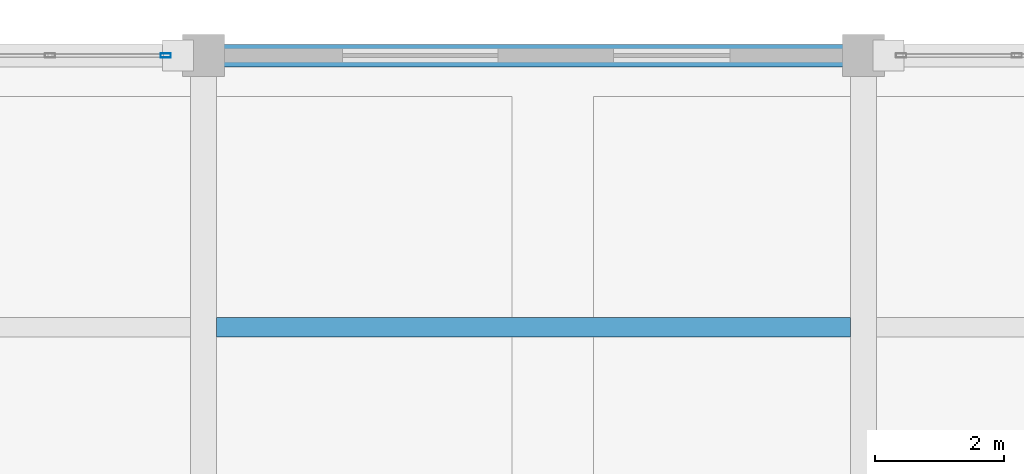
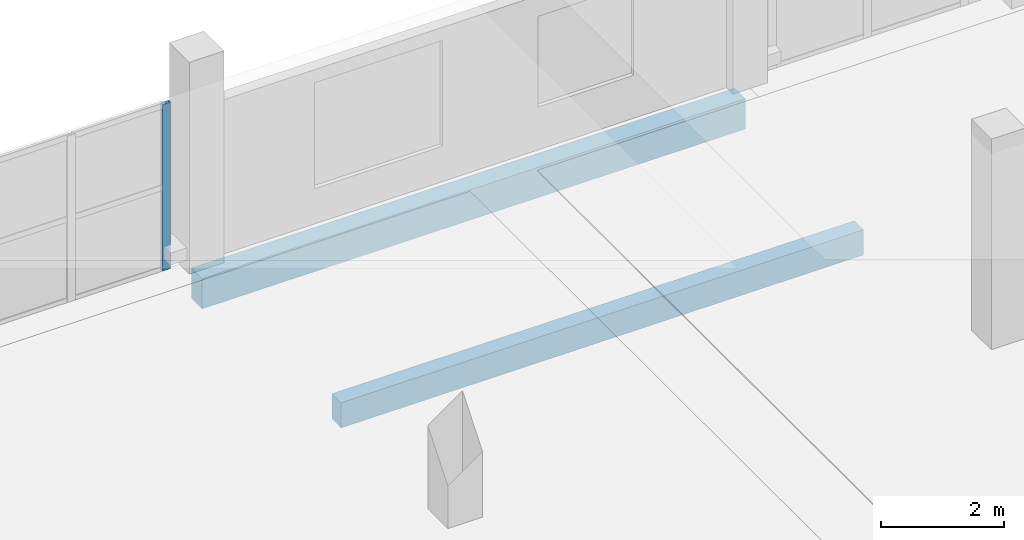
# One storey, part 99 of 135: 2 beams, 1 member, 1 element without a shape of its own.
"""IFC4 building model written with IfcOpenShell, lengths in metres."""

from ifc_helpers import new_model, si_unit, direction, frame, origin, origin_2d, place, context, subcontext, project, spatial, rectangle, hollow_rectangle, extrude, material, material_profile, profile_set, type_object, element, aggregate, save


model = new_model("IFC4")

# Units and contexts
model_context = context("Model", 3, precision=1e-05, world=origin(), true_north=direction((0.0, 1.0)))
body_context = subcontext(model_context, "Body", "Model", "MODEL_VIEW")
ifc_project = project(units=[si_unit("LENGTHUNIT", "METRE"), si_unit("AREAUNIT", "SQUARE_METRE"), si_unit("VOLUMEUNIT", "CUBIC_METRE"), si_unit("PLANEANGLEUNIT", "RADIAN"), si_unit("MASSUNIT", "GRAM", prefix="KILO")], contexts=[model_context])

# Site, building, storey
site_placement = place(None, origin())
site = spatial("IfcSite", under=ifc_project, at=site_placement, CompositionType="ELEMENT")
building_placement = place(site_placement, origin())
building = spatial("IfcBuilding", under=site, at=building_placement, Name="Brelvane Convention Centre", CompositionType="ELEMENT")
storey_placement = place(building_placement, frame((0.0, 0.0, 15.0)))
storey = spatial("IfcBuildingStorey", under=building, at=storey_placement, Name="L03", CompositionType="ELEMENT", Elevation=15.0)

# Curtain wall, member
ifc_material_1 = material(Name="Anodised Aluminium Alloy 6063-T6", Category="aluminium")
curtain_wall_type = type_object("IfcCurtainWallType", Name="Curtain Wall CW-BOUL", PredefinedType="USERDEFINED", material=ifc_material_1)
curtain_wall_placement = place(storey_placement, origin())
curtain_wall = element("IfcCurtainWall", 1, at=curtain_wall_placement, inside=storey, type_object=curtain_wall_type, Name="Curtain Wall CW-BOUL L03-V4N-04", ObjectType="UNITISED", PredefinedType="USERDEFINED")
ifc_material_2 = material(Name="Anodised Aluminium Alloy 6063-T6", Category="aluminium")
ifc_material_profile_1 = material_profile(ifc_material_2, hollow_rectangle(XDim=0.06494140625, YDim=0.159912109375, WallThickness=0.00390625, InnerFilletRadius=0.00390625, OuterFilletRadius=0.008056640625, at=origin_2d()), Name="ALU-M 160x65x4.0")
ifc_profile_set_1 = profile_set([ifc_material_profile_1], Name="Anodised Aluminium Alloy 6063-T6")
member_type = type_object("IfcMemberType", Name="Curtain Mullion CW-M3", PredefinedType="MULLION", material=ifc_profile_set_1)
member_placement = place(storey_placement, frame((40.217529296875, 144.0, 0.0), z_axis=(0.0, 0.0, 1.0), x_axis=(0.0, 1.0, 0.0)))
member = element("IfcMember", 2, at=member_placement, type_object=member_type, Name="CW-BOUL mullion 6", PredefinedType="MULLION", context=body_context, shape_type="SweptSolid", body=[
    extrude(hollow_rectangle(XDim=0.06494140625, YDim=0.159912109375, WallThickness=0.00390625, InnerFilletRadius=0.00390625, OuterFilletRadius=0.008056640625, at=origin_2d()), origin(), (0.0, 0.0, 1.0), 3.300048828125),
])
aggregate(curtain_wall, [member])

# Beams
ifc_material_3 = material(Name="Concrete M40", Category="concrete")
ifc_material_profile_2 = material_profile(ifc_material_3, rectangle(XDim=0.300048828125, YDim=0.5, at=origin_2d()), Name="RC 300x500")
ifc_profile_set_2 = profile_set([ifc_material_profile_2], Name="Concrete M40")
beam_type_1 = type_object("IfcBeamType", Name="RC Joist J-RC2 (RC 300x500)", PredefinedType="JOIST", material=ifc_profile_set_2)
beam_1_placement = place(storey_placement, frame((41.0, 139.800048828125, -0.544921875), z_axis=(1.0, 0.0, 0.0), x_axis=(0.0, 1.0, 0.0)))
element("IfcBeam", 3, at=beam_1_placement, inside=storey, type_object=beam_type_1, Name="L03 Secondary Joist 5-6/PQ", PredefinedType="JOIST", context=body_context, shape_type="SweptSolid", body=[
    extrude(rectangle(XDim=0.300048828125, YDim=0.5, at=origin_2d()), origin(), (0.0, 0.0, 1.0), 9.800048828125),
])
ifc_material_4 = material(Name="Concrete M40", Category="concrete")
ifc_material_profile_3 = material_profile(ifc_material_4, rectangle(XDim=0.35009765625, YDim=0.60009765625, at=origin_2d()), Name="RC 350x600")
ifc_profile_set_3 = profile_set([ifc_material_profile_3], Name="Concrete M40")
beam_type_2 = type_object("IfcBeamType", Name="RC Spandrel SP-RC2 (RC 350x600)", PredefinedType="SPANDREL", material=ifc_profile_set_3)
beam_2_placement = place(storey_placement, frame((40.800048828125, 144.0, -0.594970703125), z_axis=(1.0, 0.0, 0.0), x_axis=(0.0, 1.0, 0.0)))
element("IfcBeam", 4, at=beam_2_placement, inside=storey, type_object=beam_type_2, Name="L03 Beam 5-6/Q", PredefinedType="SPANDREL", context=body_context, shape_type="SweptSolid", body=[
    extrude(rectangle(XDim=0.35009765625, YDim=0.60009765625, at=origin_2d()), origin(), (0.0, 0.0, 1.0), 10.199951171875),
])

save(model, "model.ifc")
